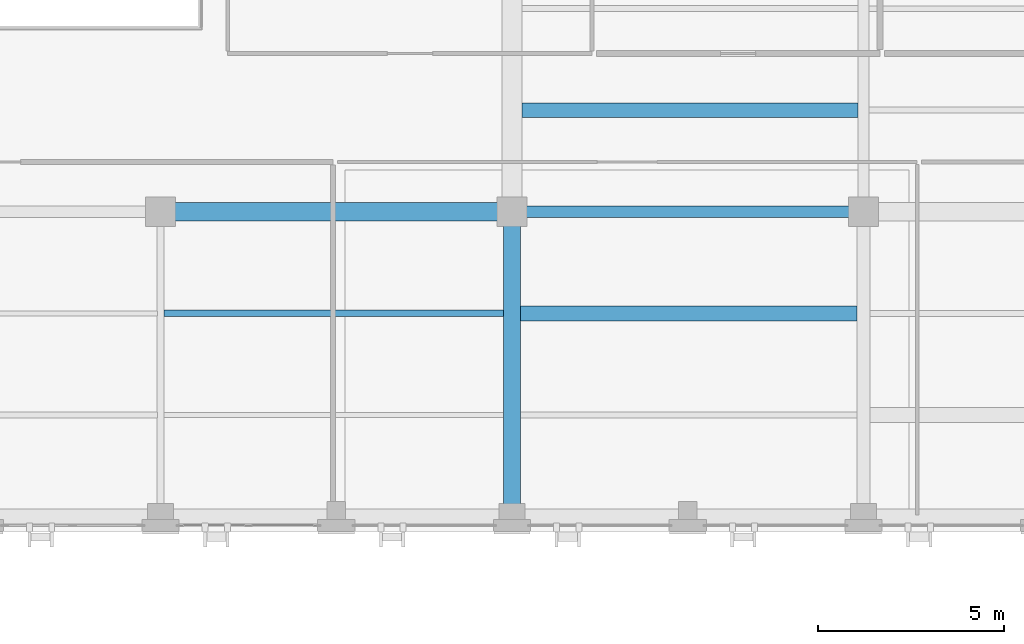
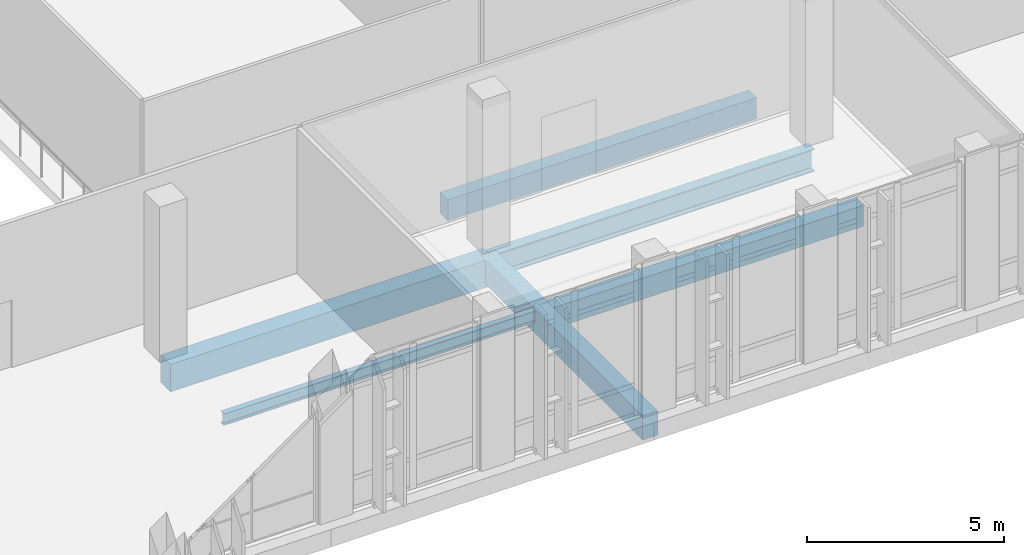
# One storey, part 33 of 189: 6 beams.
"""IFC4 building model written with IfcOpenShell, lengths in metres."""

import ifcopenshell
import ifcopenshell.guid

model = None  # the IFC model being written
_history = None  # IfcOwnerHistory: only IFC2X3 demands one
_inside = {}  # id of a spatial element -> (the spatial element, [elements in it])
_under = {}  # id of a project, library or spatial element -> (it, [spatial elements below it])
_declared = {}  # id of a project -> (the project, [libraries it declares])
_typed = {}  # id of a type object -> (the type object, [elements of that type])
_made_of = {}  # id of a material, layer set ... -> (it, [elements and type objects made of it])


def new_model(schema):
    """Start an empty IFC model of exactly this schema.

    Asked for "IFC4X3", IfcOpenShell would pick the latest addendum, in which some entities
    have other attributes; the version numbers below select the first issue.
    IFC2X3 requires an IfcOwnerHistory on every rooted entity: one is made here for all.
    """
    global model, _history
    if schema == "IFC4X3":
        model = ifcopenshell.file(schema_version=(4, 3, 0, 0))
    else:
        model = ifcopenshell.file(schema=schema)
    _inside.clear()
    _under.clear()
    _declared.clear()
    _typed.clear()
    _made_of.clear()
    _history = None
    if model.schema == "IFC2X3":
        org = make("IfcOrganization", Name="unknown")
        user = make(
            "IfcPersonAndOrganization",
            ThePerson=make("IfcPerson", FamilyName="unknown"),
            TheOrganization=org,
        )
        app = make(
            "IfcApplication",
            ApplicationDeveloper=org,
            Version="unknown",
            ApplicationFullName="unknown",
            ApplicationIdentifier="unknown",
        )
        _history = make(
            "IfcOwnerHistory",
            OwningUser=user,
            OwningApplication=app,
            ChangeAction="ADDED",
            CreationDate=0,
        )
    return model


def make(cls, **values):
    """One entity of the class cls with the attributes given. An attribute that is None is left unset."""
    return model.create_entity(
        cls, **{name: value for name, value in values.items() if value is not None}
    )


def rooted(cls, **values):
    """An entity with a GlobalId (a new one), such as an element, a storey or a relation."""
    return make(cls, GlobalId=ifcopenshell.guid.new(), OwnerHistory=_history, **values)


def si_unit(unit_type, name, prefix=None):
    """IfcSIUnit, for example si_unit("LENGTHUNIT", "METRE", prefix="MILLI")."""
    return make("IfcSIUnit", UnitType=unit_type, Prefix=prefix, Name=name)


def assignment(units):
    """IfcUnitAssignment: the units of a project."""
    return None if units is None else make("IfcUnitAssignment", Units=units)


def point(xyz):
    """IfcCartesianPoint."""
    return None if xyz is None else make("IfcCartesianPoint", Coordinates=xyz)


def direction(xyz):
    """IfcDirection."""
    return None if xyz is None else make("IfcDirection", DirectionRatios=xyz)


def frame(location, z_axis=None, x_axis=None):
    """IfcAxis2Placement3D, a coordinate frame: its origin and axes. An axis left out is left unset."""
    return make(
        "IfcAxis2Placement3D",
        Location=point(location),
        Axis=direction(z_axis),
        RefDirection=direction(x_axis),
    )


def frame_2d(location, x_axis=None):
    """IfcAxis2Placement2D, a coordinate frame in the plane: its origin and x axis."""
    return make(
        "IfcAxis2Placement2D", Location=point(location), RefDirection=direction(x_axis)
    )


def origin():
    """The frame at (0, 0, 0) with its axes left unset."""
    return frame((0.0, 0.0, 0.0))


def origin_2d():
    """The frame at (0, 0) in the plane with its x axis left unset."""
    return frame_2d((0.0, 0.0))


def place(relative_to, where):
    """IfcLocalPlacement: puts the frame where relative to a parent placement (None: the world)."""
    return make(
        "IfcLocalPlacement", PlacementRelTo=relative_to, RelativePlacement=where
    )


def context(
    kind, dimensions, precision=None, world=None, true_north=None, identifier=None
):
    """IfcGeometricRepresentationContext, for example the 3D "Model" context."""
    return make(
        "IfcGeometricRepresentationContext",
        ContextIdentifier=identifier,
        ContextType=kind,
        CoordinateSpaceDimension=dimensions,
        Precision=precision,
        WorldCoordinateSystem=world,
        TrueNorth=true_north,
    )


def subcontext(parent, identifier, kind, view, scale=None):
    """IfcGeometricRepresentationSubContext, for example "Body" below "Model"."""
    return make(
        "IfcGeometricRepresentationSubContext",
        ContextIdentifier=identifier,
        ContextType=kind,
        ParentContext=parent,
        TargetScale=scale,
        TargetView=view,
    )


def project(units=None, contexts=None):
    """IfcProject with its units and contexts."""
    return rooted(
        "IfcProject",
        Name="project",
        RepresentationContexts=contexts,
        UnitsInContext=assignment(units),
    )


def spatial(cls, under=None, at=None, **own):
    """A site, building, storey or space (cls), placed at a placement, below another one or the project."""
    s = rooted(cls, ObjectPlacement=at, **own)
    if under is not None:
        _under.setdefault(under.id(), (under, []))[1].append(s)
    return s


def profile(cls, at=None, kind="AREA", **sizes):
    """A parametric profile (cls). Its sizes go by their IFC names, for example OverallWidth=200.0."""
    return make(cls, ProfileType=kind, Position=at, **sizes)


def rectangle(**sizes):
    """IfcRectangleProfileDef."""
    return profile("IfcRectangleProfileDef", **sizes)


def i_section(**sizes):
    """IfcIShapeProfileDef."""
    return profile("IfcIShapeProfileDef", **sizes)


def extrude(swept, where, along, depth):
    """IfcExtrudedAreaSolid: the profile swept, set in the frame where, extruded along a direction by depth."""
    return make(
        "IfcExtrudedAreaSolid",
        SweptArea=swept,
        Position=where,
        ExtrudedDirection=direction(along),
        Depth=depth,
    )


def shape(context_of_items, identifier, shape_type, items):
    """IfcShapeRepresentation: the items that make up one representation, for example the "Body"."""
    return make(
        "IfcShapeRepresentation",
        ContextOfItems=context_of_items,
        RepresentationIdentifier=identifier,
        RepresentationType=shape_type,
        Items=items,
    )


def material(Name=None, Category=None):
    """IfcMaterial."""
    return make("IfcMaterial", Name=Name, Category=Category)


def material_profile(
    of_material, cross_section, Name=None, Category=None, Priority=None
):
    """IfcMaterialProfile: a cross section and its material."""
    return make(
        "IfcMaterialProfile",
        Name=Name,
        Material=of_material,
        Profile=cross_section,
        Priority=Priority,
        Category=Category,
    )


def profile_set(profiles, Name=None, composite=None):
    """IfcMaterialProfileSet."""
    return make(
        "IfcMaterialProfileSet",
        Name=Name,
        MaterialProfiles=profiles,
        CompositeProfile=composite,
    )


def made_of(thing, what):
    """Note that an element or type object is made of a material, layer set ...; save() writes the relation."""
    if what is not None:
        _made_of.setdefault(what.id(), (what, []))[1].append(thing)
    return thing


def type_object(cls, material=None, **own):
    """A type object (cls), such as IfcWallType, which elements share."""
    return made_of(rooted(cls, **own), material)


def element(
    cls,
    number,
    at=None,
    inside=None,
    cuts=None,
    type_object=None,
    material=None,
    context=None,
    identifier="Body",
    shape_type=None,
    held_by="IfcProductDefinitionShape",
    body=None,
    shapes=None,
    **own,
):
    """One element of the class cls, such as IfcWall. Its Tag is "e" and its number.

    at: its placement. inside: the storey or other place that contains it. cuts: it is an
    opening in that element (IfcRelVoidsElement). A single representation is given by context,
    identifier, shape_type and body (its items); several are given by shapes. held_by: the class
    of the entity that holds the representations. save() writes the other relations.
    """
    e = rooted(cls, Tag="e%d" % number, ObjectPlacement=at, **own)
    if body is not None:
        shapes = [shape(context, identifier, shape_type, body)]
    if shapes is not None:
        e.Representation = make(held_by, Representations=shapes)
    if inside is not None:
        _inside.setdefault(inside.id(), (inside, []))[1].append(e)
    if cuts is not None:
        rooted(
            "IfcRelVoidsElement", RelatingBuildingElement=cuts, RelatedOpeningElement=e
        )
    if type_object is not None:
        _typed.setdefault(type_object.id(), (type_object, []))[1].append(e)
    return made_of(e, material)


def aggregate(whole, parts):
    """IfcRelAggregates: a whole, such as a stair, and the parts it consists of."""
    return rooted("IfcRelAggregates", RelatingObject=whole, RelatedObjects=parts)


def save(model, path):
    """Write the relations noted so far, then the file.

    IfcRelAggregates (storeys below a building ...), IfcRelContainedInSpatialStructure (elements
    in a storey), IfcRelDefinesByType, IfcRelAssociatesMaterial and IfcRelDeclares: one each for
    every whole, place, type object, material and project.
    """
    for whole, parts in _under.values():
        aggregate(whole, parts)
    for where, things in _inside.values():
        rooted(
            "IfcRelContainedInSpatialStructure",
            RelatedElements=things,
            RelatingStructure=where,
        )
    for kind, things in _typed.values():
        rooted("IfcRelDefinesByType", RelatedObjects=things, RelatingType=kind)
    for what, things in _made_of.values():
        rooted("IfcRelAssociatesMaterial", RelatedObjects=things, RelatingMaterial=what)
    for by, libraries in _declared.values():
        rooted("IfcRelDeclares", RelatingContext=by, RelatedDefinitions=libraries)
    model.write(path)


model = new_model("IFC4")

# Units and contexts
model_context = context("Model", 3, precision=1e-05, world=origin(), true_north=direction((0.0, 1.0)))
body_context = subcontext(model_context, "Body", "Model", "MODEL_VIEW")
ifc_project = project(units=[si_unit("LENGTHUNIT", "METRE"), si_unit("AREAUNIT", "SQUARE_METRE"), si_unit("VOLUMEUNIT", "CUBIC_METRE"), si_unit("PLANEANGLEUNIT", "RADIAN"), si_unit("MASSUNIT", "GRAM", prefix="KILO")], contexts=[model_context])

# Site, building, storey
site_placement = place(None, origin())
site = spatial("IfcSite", under=ifc_project, at=site_placement, CompositionType="ELEMENT")
building_placement = place(site_placement, origin())
building = spatial("IfcBuilding", under=site, at=building_placement, Name="Qalavern Law Courts", CompositionType="ELEMENT")
storey_placement = place(building_placement, frame((0.0, 0.0, 5.39990234375)))
storey = spatial("IfcBuildingStorey", under=building, at=storey_placement, Name="L01", CompositionType="ELEMENT", Elevation=5.39990234375)

# Beams
ifc_material_1 = material(Name="Steel S355", Category="steel")
ifc_material_profile_1 = material_profile(ifc_material_1, i_section(OverallWidth=0.300048828125, OverallDepth=0.699951171875, WebThickness=0.01708984375, FlangeThickness=0.031982421875, FilletRadius=0.027099609375, at=origin_2d()), Name="HEB 700")
ifc_profile_set_1 = profile_set([ifc_material_profile_1], Name="Steel S355")
beam_type_1 = type_object("IfcBeamType", Name="STR-BM-HEB700", PredefinedType="BEAM", material=ifc_profile_set_1)
beam_1_placement = place(storey_placement, frame((72.43701171875, 13.800048828125, -0.64990234375), z_axis=(1.0, 0.0, 0.0), x_axis=(0.0, 1.0, 0.0)))
element("IfcBeam", 1, at=beam_1_placement, inside=storey, type_object=beam_type_1, Name="V2 X-beam 2-5 L01", PredefinedType="BEAM", context=body_context, shape_type="SweptSolid", body=[
    extrude(i_section(OverallWidth=0.300048828125, OverallDepth=0.699951171875, WebThickness=0.01708984375, FlangeThickness=0.031982421875, FilletRadius=0.027099609375, at=origin_2d()), origin(), (0.0, 0.0, 1.0), 9.454345703125),
])
ifc_material_2 = material(Name="Concrete C40/50", Category="concrete")
ifc_material_profile_2 = material_profile(ifc_material_2, rectangle(XDim=0.449951171875, YDim=0.75, at=origin_2d()), Name="RC 450x750")
ifc_profile_set_2 = profile_set([ifc_material_profile_2], Name="Concrete C40/50")
beam_type_2 = type_object("IfcBeamType", Name="STR-BM-RC450x750", PredefinedType="BEAM", material=ifc_profile_set_2)
beam_2_placement = place(storey_placement, frame((72.43701171875, 5.60009765625, -0.6748046875), z_axis=(0.0, 1.0, 0.0), x_axis=(-1.0, 0.0, 0.0)))
element("IfcBeam", 2, at=beam_2_placement, inside=storey, type_object=beam_type_2, Name="V2 Y-beam 5-1 L01", PredefinedType="BEAM", context=body_context, shape_type="SweptSolid", body=[
    extrude(rectangle(XDim=0.449951171875, YDim=0.75, at=origin_2d()), origin(), (0.0, 0.0, 1.0), 8.199951171875),
])
ifc_material_profile_3 = material_profile(ifc_material_2, rectangle(XDim=0.5, YDim=0.85009765625, at=origin_2d()), Name="RC 500x850")
ifc_profile_set_3 = profile_set([ifc_material_profile_3], Name="Concrete C40/50")
beam_type_3 = type_object("IfcBeamType", Name="STR-BM-RC500x850", PredefinedType="BEAM", material=ifc_profile_set_3)
beam_3_placement = place(storey_placement, frame((62.98291015625, 13.800048828125, -0.724853515625), z_axis=(1.0, 0.0, 0.0), x_axis=(0.0, 1.0, 0.0)))
element("IfcBeam", 3, at=beam_3_placement, inside=storey, type_object=beam_type_3, Name="V2 X-beam 2-4 L01", PredefinedType="BEAM", context=body_context, shape_type="SweptSolid", body=[
    extrude(rectangle(XDim=0.5, YDim=0.85009765625, at=origin_2d()), origin(), (0.0, 0.0, 1.0), 9.4541015625),
])
ifc_material_profile_4 = material_profile(ifc_material_1, i_section(OverallWidth=0.169921875, OverallDepth=0.360107421875, WebThickness=0.008056640625, FlangeThickness=0.0126953125, FilletRadius=0.01806640625, at=origin_2d()), Name="IPE 360")
ifc_profile_set_4 = profile_set([ifc_material_profile_4], Name="Steel S355")
beam_type_4 = type_object("IfcBeamType", Name="STR-JST-IPE360", PredefinedType="JOIST", material=ifc_profile_set_4)
beam_4_placement = place(storey_placement, frame((63.07080078125, 11.066650390625, -0.47998046875), z_axis=(1.0, 0.0, 0.0), x_axis=(0.0, 1.0, 0.0)))
element("IfcBeam", 4, at=beam_4_placement, inside=storey, type_object=beam_type_4, Name="V2 secondary joist 4.1.2 L01", PredefinedType="JOIST", context=body_context, shape_type="SweptSolid", body=[
    extrude(i_section(OverallWidth=0.169921875, OverallDepth=0.360107421875, WebThickness=0.008056640625, FlangeThickness=0.0126953125, FilletRadius=0.01806640625, at=origin_2d()), origin(), (0.0, 0.0, 1.0), 9.143310546875),
])
ifc_material_3 = material(Name="Concrete C35/45", Category="concrete")
ifc_material_profile_5 = material_profile(ifc_material_3, rectangle(XDim=0.39990234375, YDim=0.64990234375, at=origin_2d()), Name="RC 400x650")
ifc_profile_set_5 = profile_set([ifc_material_profile_5], Name="Concrete C35/45")
beam_type_5 = type_object("IfcBeamType", Name="STR-JST-RC400x650", PredefinedType="JOIST", material=ifc_profile_set_5)
beam_5_placement = place(storey_placement, frame((72.66015625, 11.066650390625, -0.625), z_axis=(1.0, 0.0, 0.0), x_axis=(0.0, 1.0, 0.0)))
element("IfcBeam", 5, at=beam_5_placement, inside=storey, type_object=beam_type_5, Name="V2 secondary joist 5.1.2 L01", PredefinedType="JOIST", context=body_context, shape_type="SweptSolid", body=[
    extrude(rectangle(XDim=0.39990234375, YDim=0.64990234375, at=origin_2d()), origin(), (0.0, 0.0, 1.0), 9.058349609375),
])
beam_6_placement = place(storey_placement, frame((72.710205078125, 16.533203125, -0.625), z_axis=(1.0, 0.0, 0.0), x_axis=(0.0, 1.0, 0.0)))
element("IfcBeam", 6, at=beam_6_placement, inside=storey, type_object=beam_type_5, Name="V2 secondary joist 5.2.1 L01", PredefinedType="JOIST", context=body_context, shape_type="SweptSolid", body=[
    extrude(rectangle(XDim=0.39990234375, YDim=0.64990234375, at=origin_2d()), origin(), (0.0, 0.0, 1.0), 9.033203125),
])

save(model, "model.ifc")
